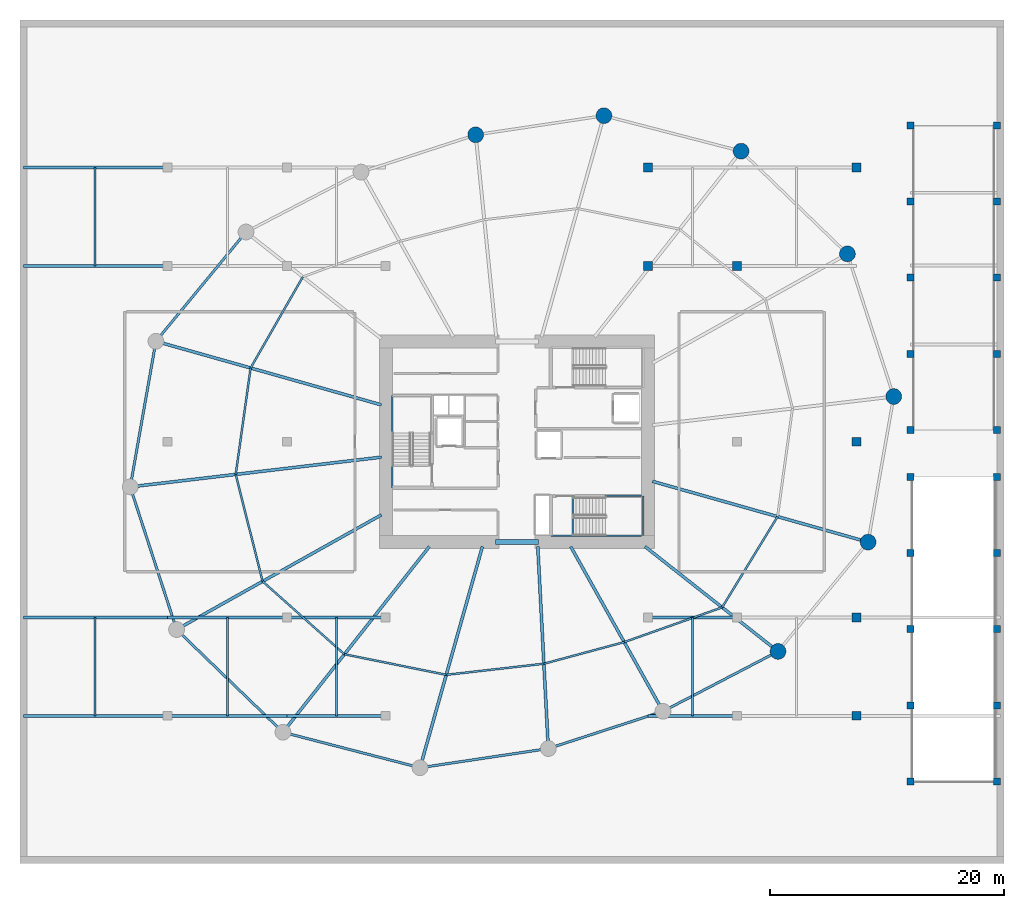
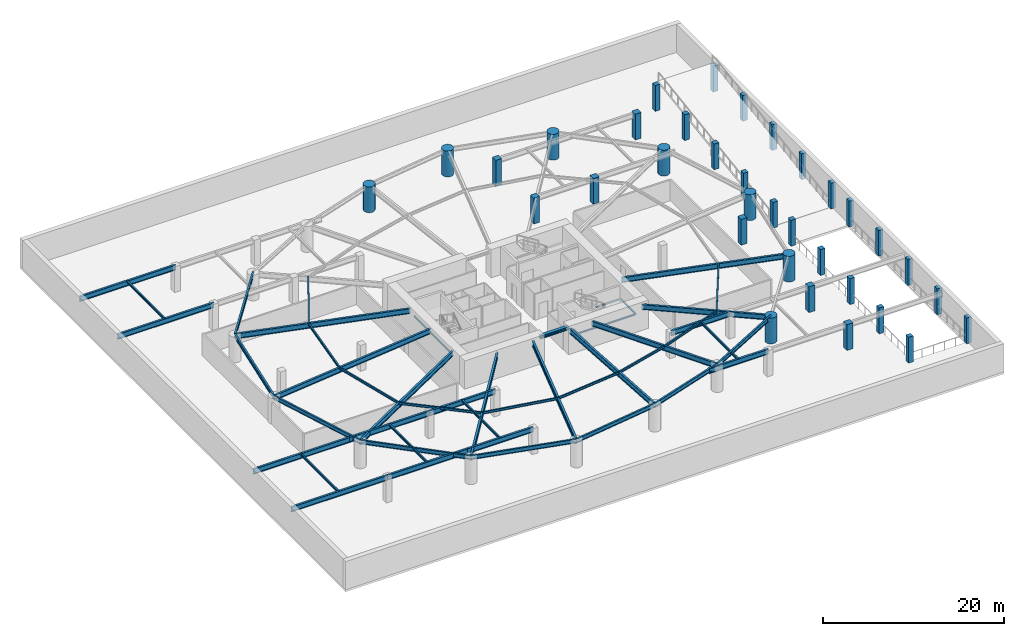
# One storey, part 5 of 13: 47 beams, 34 columns.
"""IFC4 building model written with IfcOpenShell, lengths in metres."""

from ifc_helpers import new_model, si_unit, direction, frame, origin, origin_2d, place, context, subcontext, project, spatial, rectangle, circle, i_section, extrude, material, material_profile, profile_set, type_object, element, save


model = new_model("IFC4")

# Units and contexts
model_context = context("Model", 3, precision=1e-05, world=origin(), true_north=direction((0.0, 1.0)))
body_context = subcontext(model_context, "Body", "Model", "MODEL_VIEW")
ifc_project = project(units=[si_unit("LENGTHUNIT", "METRE"), si_unit("AREAUNIT", "SQUARE_METRE"), si_unit("VOLUMEUNIT", "CUBIC_METRE"), si_unit("PLANEANGLEUNIT", "RADIAN"), si_unit("MASSUNIT", "GRAM", prefix="KILO")], contexts=[model_context])

# Site, building, storey
site_placement = place(None, origin())
site = spatial("IfcSite", under=ifc_project, at=site_placement, CompositionType="ELEMENT")
building_placement = place(site_placement, origin())
building = spatial("IfcBuilding", under=site, at=building_placement, Name="Kazma Halo Residences", CompositionType="ELEMENT")
storey_placement = place(building_placement, frame((0.0, 0.0, -3.800048828125)))
storey = spatial("IfcBuildingStorey", under=building, at=storey_placement, Name="B01", CompositionType="ELEMENT", Elevation=-3.800048828125)

# Columns
ifc_material_1 = material(Name="Concrete C60/75", Category="concrete")
ifc_material_profile_1 = material_profile(ifc_material_1, rectangle(XDim=0.75, YDim=0.75, at=origin_2d()), Name="RECT750x750")
ifc_profile_set_1 = profile_set([ifc_material_profile_1], Name="Concrete C60/75")
column_type_1 = type_object("IfcColumnType", Name="COL-BSMT-750", PredefinedType="COLUMN", material=ifc_profile_set_1)
for number, where, z_axis, x_axis, name in (
    (1, (59.60009765625, 57.0, 0.0), (0.0, 0.0, 1.0), (1.0, 0.0, 0.0), "B01 parking grid column 17"),
    (2, (59.60009765625, 65.39990234375, 0.0), (0.0, 0.0, 1.0), (1.0, 0.0, 0.0), "B01 parking grid column 18"),
    (3, (67.199951171875, 57.0, 0.0), (0.0, 0.0, 1.0), (1.0, 0.0, 0.0), "B01 parking grid column 22"),
    (4, (77.39990234375, 18.60009765625, 0.0), (0.0, 0.0, 1.0), (1.0, 0.0, 0.0), "B01 parking grid column 24"),
    (5, (77.39990234375, 27.0, 0.0), (0.0, 0.0, 1.0), (1.0, 0.0, 0.0), "B01 parking grid column 25"),
    (6, (77.39990234375, 42.0, 0.0), (0.0, 0.0, 1.0), (1.0, 0.0, 0.0), "B01 parking grid column 26"),
    (7, (77.39990234375, 65.39990234375, 0.0), (0.0, 0.0, 1.0), (1.0, 0.0, 0.0), "B01 parking grid column 28"),
):
    element("IfcColumn", number, at=place(storey_placement, frame(where, z_axis=z_axis, x_axis=x_axis)), inside=storey, type_object=column_type_1, Name=name, PredefinedType="COLUMN", context=body_context, shape_type="SweptSolid", body=[
        extrude(rectangle(XDim=0.75, YDim=0.75, at=origin_2d()), origin(), (0.0, 0.0, 1.0), 3.47998046875),
    ])
ifc_material_2 = material(Name="Concrete C80/95", Category="concrete")
ifc_material_profile_2 = material_profile(ifc_material_2, circle(Radius=0.675048828125, at=origin_2d()), Name="CIRC1350")
ifc_profile_set_2 = profile_set([ifc_material_profile_2], Name="Concrete C80/95")
column_type_2 = type_object("IfcColumnType", Name="COL-PERIM-1350", PredefinedType="COLUMN", material=ifc_profile_set_2)
for number, where, z_axis, x_axis, name in (
    (8, (76.6328125, 58.03515625, 0.0), (0.0, 0.0, 1.0), (1.0, 0.0, 0.0), "B01 perimeter ring column P01"),
    (9, (67.55322265625, 66.80322265625, 0.0), (0.0, 0.0, 1.0), (1.0, 0.0, 0.0), "B01 perimeter ring column P02"),
    (10, (55.84912109375, 69.831298828125, 0.0), (0.0, 0.0, 1.0), (1.0, 0.0, 0.0), "B01 perimeter ring column P03"),
    (11, (44.8994140625, 68.196044921875, 0.0), (0.0, 0.0, 1.0), (1.0, 0.0, 0.0), "B01 perimeter ring column P04"),
    (12, (70.708984375, 24.09765625, 0.0), (0.0, 0.0, 1.0), (1.0, 0.0, 0.0), "B01 perimeter ring column P14"),
    (13, (78.397705078125, 33.427001953125, 0.0), (0.0, 0.0, 1.0), (1.0, 0.0, 0.0), "B01 perimeter ring column P15"),
    (14, (80.589599609375, 45.857177734375, 0.0), (0.0, 0.0, 1.0), (1.0, 0.0, 0.0), "B01 perimeter ring column P16"),
):
    element("IfcColumn", number, at=place(storey_placement, frame(where, z_axis=z_axis, x_axis=x_axis)), inside=storey, type_object=column_type_2, Name=name, PredefinedType="COLUMN", context=body_context, shape_type="SweptSolid", body=[
        extrude(circle(Radius=0.675048828125, at=origin_2d()), origin(), (0.0, 0.0, 1.0), 3.47998046875),
    ])
ifc_material_profile_3 = material_profile(ifc_material_1, rectangle(XDim=0.60009765625, YDim=0.60009765625, at=origin_2d()), Name="RECT600x600")
ifc_profile_set_3 = profile_set([ifc_material_profile_3], Name="Concrete C60/75")
column_type_3 = type_object("IfcColumnType", Name="COL-POD-600", PredefinedType="COLUMN", material=ifc_profile_set_3)
for number, where, z_axis, x_axis, name in (
    (15, (82.0, 13.0, 0.0), (0.0, 0.0, 1.0), (1.0, 0.0, 0.0), "B01 vehicle ramp column 01"),
    (16, (82.0, 19.5, 0.0), (0.0, 0.0, 1.0), (1.0, 0.0, 0.0), "B01 vehicle ramp column 02"),
    (17, (82.0, 26.0, 0.0), (0.0, 0.0, 1.0), (1.0, 0.0, 0.0), "B01 vehicle ramp column 03"),
    (18, (82.0, 32.5, 0.0), (0.0, 0.0, 1.0), (1.0, 0.0, 0.0), "B01 vehicle ramp column 04"),
    (19, (82.0, 39.0, 0.0), (0.0, 0.0, 1.0), (1.0, 0.0, 0.0), "B01 vehicle ramp column 05"),
    (20, (82.0, 43.0, 0.0), (0.0, 0.0, 1.0), (1.0, 0.0, 0.0), "B01 vehicle ramp column 06"),
    (21, (82.0, 49.5, 0.0), (0.0, 0.0, 1.0), (1.0, 0.0, 0.0), "B01 vehicle ramp column 07"),
    (22, (82.0, 56.0, 0.0), (0.0, 0.0, 1.0), (1.0, 0.0, 0.0), "B01 vehicle ramp column 08"),
    (23, (82.0, 62.5, 0.0), (0.0, 0.0, 1.0), (1.0, 0.0, 0.0), "B01 vehicle ramp column 09"),
    (24, (82.0, 69.0, 0.0), (0.0, 0.0, 1.0), (1.0, 0.0, 0.0), "B01 vehicle ramp column 10"),
    (25, (89.39990234375, 13.0, 0.0), (0.0, 0.0, 1.0), (1.0, 0.0, 0.0), "B01 vehicle ramp column 11"),
    (26, (89.39990234375, 19.5, 0.0), (0.0, 0.0, 1.0), (1.0, 0.0, 0.0), "B01 vehicle ramp column 12"),
    (27, (89.39990234375, 26.0, 0.0), (0.0, 0.0, 1.0), (1.0, 0.0, 0.0), "B01 vehicle ramp column 13"),
    (28, (89.39990234375, 32.5, 0.0), (0.0, 0.0, 1.0), (1.0, 0.0, 0.0), "B01 vehicle ramp column 14"),
    (29, (89.39990234375, 39.0, 0.0), (0.0, 0.0, 1.0), (1.0, 0.0, 0.0), "B01 vehicle ramp column 15"),
    (30, (89.39990234375, 43.0, 0.0), (0.0, 0.0, 1.0), (1.0, 0.0, 0.0), "B01 vehicle ramp column 16"),
    (31, (89.39990234375, 49.5, 0.0), (0.0, 0.0, 1.0), (1.0, 0.0, 0.0), "B01 vehicle ramp column 17"),
    (32, (89.39990234375, 56.0, 0.0), (0.0, 0.0, 1.0), (1.0, 0.0, 0.0), "B01 vehicle ramp column 18"),
    (33, (89.39990234375, 62.5, 0.0), (0.0, 0.0, 1.0), (1.0, 0.0, 0.0), "B01 vehicle ramp column 19"),
    (34, (89.39990234375, 69.0, 0.0), (0.0, 0.0, 1.0), (1.0, 0.0, 0.0), "B01 vehicle ramp column 20"),
):
    element("IfcColumn", number, at=place(storey_placement, frame(where, z_axis=z_axis, x_axis=x_axis)), inside=storey, type_object=column_type_3, Name=name, PredefinedType="COLUMN", context=body_context, shape_type="SweptSolid", body=[
        extrude(rectangle(XDim=0.60009765625, YDim=0.60009765625, at=origin_2d()), origin(), (0.0, 0.0, 1.0), 3.47998046875),
    ])

# Beams
ifc_material_3 = material(Name="Steel S355", Category="steel")
ifc_material_profile_4 = material_profile(ifc_material_3, i_section(OverallWidth=0.25390625, OverallDepth=0.68408203125, WebThickness=0.012451171875, FlangeThickness=0.01904296875, FilletRadius=0.01806640625, at=origin_2d()), Name="W690x140")
ifc_profile_set_4 = profile_set([ifc_material_profile_4], Name="Steel S355")
beam_type_1 = type_object("IfcBeamType", Name="BM-BSMT-W690", PredefinedType="BEAM", material=ifc_profile_set_4)
beam_1_placement = place(storey_placement, frame((6.300048828125, 18.60009765625, 3.137939453125), z_axis=(1.0, 0.0, 0.0), x_axis=(0.0, 1.0, 0.0)))
element("IfcBeam", 35, at=beam_1_placement, inside=storey, type_object=beam_type_1, Name="B01 primary girder Y=18.6 bay 1", PredefinedType="BEAM", context=body_context, shape_type="SweptSolid", body=[
    extrude(i_section(OverallWidth=0.25390625, OverallDepth=0.68408203125, WebThickness=0.012451171875, FlangeThickness=0.01904296875, FilletRadius=0.01806640625, at=origin_2d()), origin(), (0.0, 0.0, 1.0), 12.300048828125),
])
beam_2_placement = place(storey_placement, frame((18.60009765625, 18.60009765625, 3.137939453125), z_axis=(1.0, 0.0, 0.0), x_axis=(0.0, 1.0, 0.0)))
element("IfcBeam", 36, at=beam_2_placement, inside=storey, type_object=beam_type_1, Name="B01 primary girder Y=18.6 bay 2", PredefinedType="BEAM", context=body_context, shape_type="SweptSolid", body=[
    extrude(i_section(OverallWidth=0.25390625, OverallDepth=0.68408203125, WebThickness=0.012451171875, FlangeThickness=0.01904296875, FilletRadius=0.01806640625, at=origin_2d()), origin(), (0.0, 0.0, 1.0), 10.199951171875),
])
beam_3_placement = place(storey_placement, frame((28.800048828125, 18.60009765625, 3.137939453125), z_axis=(1.0, 0.0, 0.0), x_axis=(0.0, 1.0, 0.0)))
element("IfcBeam", 37, at=beam_3_placement, inside=storey, type_object=beam_type_1, Name="B01 primary girder Y=18.6 bay 3", PredefinedType="BEAM", context=body_context, shape_type="SweptSolid", body=[
    extrude(i_section(OverallWidth=0.25390625, OverallDepth=0.68408203125, WebThickness=0.012451171875, FlangeThickness=0.01904296875, FilletRadius=0.01806640625, at=origin_2d()), origin(), (0.0, 0.0, 1.0), 8.39990234375),
])
beam_4_placement = place(storey_placement, frame((59.60009765625, 18.60009765625, 3.137939453125), z_axis=(1.0, 0.0, 0.0), x_axis=(0.0, 1.0, 0.0)))
element("IfcBeam", 38, at=beam_4_placement, inside=storey, type_object=beam_type_1, Name="B01 primary girder Y=18.6 bay 4", PredefinedType="BEAM", context=body_context, shape_type="SweptSolid", body=[
    extrude(i_section(OverallWidth=0.25390625, OverallDepth=0.68408203125, WebThickness=0.012451171875, FlangeThickness=0.01904296875, FilletRadius=0.01806640625, at=origin_2d()), origin(), (0.0, 0.0, 1.0), 7.599853515625),
])
beam_5_placement = place(storey_placement, frame((6.300048828125, 27.0, 3.137939453125), z_axis=(1.0, 0.0, 0.0), x_axis=(0.0, 1.0, 0.0)))
element("IfcBeam", 39, at=beam_5_placement, inside=storey, type_object=beam_type_1, Name="B01 primary girder Y=27.0 bay 1", PredefinedType="BEAM", context=body_context, shape_type="SweptSolid", body=[
    extrude(i_section(OverallWidth=0.25390625, OverallDepth=0.68408203125, WebThickness=0.012451171875, FlangeThickness=0.01904296875, FilletRadius=0.01806640625, at=origin_2d()), origin(), (0.0, 0.0, 1.0), 12.300048828125),
])
beam_6_placement = place(storey_placement, frame((18.60009765625, 27.0, 3.137939453125), z_axis=(1.0, 0.0, 0.0), x_axis=(0.0, 1.0, 0.0)))
element("IfcBeam", 40, at=beam_6_placement, inside=storey, type_object=beam_type_1, Name="B01 primary girder Y=27.0 bay 2", PredefinedType="BEAM", context=body_context, shape_type="SweptSolid", body=[
    extrude(i_section(OverallWidth=0.25390625, OverallDepth=0.68408203125, WebThickness=0.012451171875, FlangeThickness=0.01904296875, FilletRadius=0.01806640625, at=origin_2d()), origin(), (0.0, 0.0, 1.0), 10.199951171875),
])
beam_7_placement = place(storey_placement, frame((28.800048828125, 27.0, 3.137939453125), z_axis=(1.0, 0.0, 0.0), x_axis=(0.0, 1.0, 0.0)))
element("IfcBeam", 41, at=beam_7_placement, inside=storey, type_object=beam_type_1, Name="B01 primary girder Y=27.0 bay 3", PredefinedType="BEAM", context=body_context, shape_type="SweptSolid", body=[
    extrude(i_section(OverallWidth=0.25390625, OverallDepth=0.68408203125, WebThickness=0.012451171875, FlangeThickness=0.01904296875, FilletRadius=0.01806640625, at=origin_2d()), origin(), (0.0, 0.0, 1.0), 8.39990234375),
])
beam_8_placement = place(storey_placement, frame((59.60009765625, 27.0, 3.137939453125), z_axis=(1.0, 0.0, 0.0), x_axis=(0.0, 1.0, 0.0)))
element("IfcBeam", 42, at=beam_8_placement, inside=storey, type_object=beam_type_1, Name="B01 primary girder Y=27.0 bay 4", PredefinedType="BEAM", context=body_context, shape_type="SweptSolid", body=[
    extrude(i_section(OverallWidth=0.25390625, OverallDepth=0.68408203125, WebThickness=0.012451171875, FlangeThickness=0.01904296875, FilletRadius=0.01806640625, at=origin_2d()), origin(), (0.0, 0.0, 1.0), 7.599853515625),
])
for number, where, z_axis, x_axis, name in (
    (43, (6.300048828125, 57.0, 3.137939453125), (1.0, 0.0, 0.0), (0.0, 1.0, 0.0), "B01 primary girder Y=57.0 bay 1"),
    (44, (6.300048828125, 65.39990234375, 3.137939453125), (1.0, 0.0, 0.0), (0.0, 1.0, 0.0), "B01 primary girder Y=65.4 bay 1"),
):
    element("IfcBeam", number, at=place(storey_placement, frame(where, z_axis=z_axis, x_axis=x_axis)), inside=storey, type_object=beam_type_1, Name=name, PredefinedType="BEAM", context=body_context, shape_type="SweptSolid", body=[
        extrude(i_section(OverallWidth=0.25390625, OverallDepth=0.68408203125, WebThickness=0.012451171875, FlangeThickness=0.01904296875, FilletRadius=0.01806640625, at=origin_2d()), origin(), (0.0, 0.0, 1.0), 12.300048828125),
    ])
beam_9_placement = place(storey_placement, frame((36.85009765625, 45.14453125, 3.137939453125), z_axis=(-0.962454909869, 0.271441607845, 0.0), x_axis=(-0.271441607845, -0.962454909869, 0.0)))
element("IfcBeam", 45, at=beam_9_placement, inside=storey, type_object=beam_type_1, Name="B01 radial floor beam 07", PredefinedType="BEAM", context=body_context, shape_type="SweptSolid", body=[
    extrude(i_section(OverallWidth=0.25390625, OverallDepth=0.68408203125, WebThickness=0.012451171875, FlangeThickness=0.01904296875, FilletRadius=0.01806640625, at=origin_2d()), origin(), (0.0, 0.0, 1.0), 19.99853515625),
])
beam_10_placement = place(storey_placement, frame((36.85009765625, 40.680419921875, 3.137939453125), z_axis=(-0.993068228459, -0.117539327996, 0.0), x_axis=(0.117539327996, -0.993068228459, 0.0)))
element("IfcBeam", 46, at=beam_10_placement, inside=storey, type_object=beam_type_1, Name="B01 radial floor beam 08", PredefinedType="BEAM", context=body_context, shape_type="SweptSolid", body=[
    extrude(i_section(OverallWidth=0.25390625, OverallDepth=0.68408203125, WebThickness=0.012451171875, FlangeThickness=0.01904296875, FilletRadius=0.01806640625, at=origin_2d()), origin(), (0.0, 0.0, 1.0), 21.58935546875),
])
beam_11_placement = place(storey_placement, frame((36.85009765625, 35.755615234375, 3.137939453125), z_axis=(-0.872498744017, -0.488616354299, 0.0), x_axis=(0.488616354299, -0.872498744017, 0.0)))
element("IfcBeam", 47, at=beam_11_placement, inside=storey, type_object=beam_type_1, Name="B01 radial floor beam 09", PredefinedType="BEAM", context=body_context, shape_type="SweptSolid", body=[
    extrude(i_section(OverallWidth=0.25390625, OverallDepth=0.68408203125, WebThickness=0.012451171875, FlangeThickness=0.01904296875, FilletRadius=0.01806640625, at=origin_2d()), origin(), (0.0, 0.0, 1.0), 20.037841796875),
])
beam_12_placement = place(storey_placement, frame((40.9443359375, 33.050048828125, 3.137939453125), z_axis=(-0.619089277374, -0.785320613915, 0.0), x_axis=(0.785320613915, -0.619089277374, 0.0)))
element("IfcBeam", 48, at=beam_12_placement, inside=storey, type_object=beam_type_1, Name="B01 radial floor beam 10", PredefinedType="BEAM", context=body_context, shape_type="SweptSolid", body=[
    extrude(i_section(OverallWidth=0.25390625, OverallDepth=0.68408203125, WebThickness=0.012451171875, FlangeThickness=0.01904296875, FilletRadius=0.01806640625, at=origin_2d()), origin(), (0.0, 0.0, 1.0), 20.18701171875),
])
beam_13_placement = place(storey_placement, frame((45.475830078125, 33.050048828125, 3.137939453125), z_axis=(-0.271433858007, -0.962457095526, 0.0), x_axis=(0.962457095526, -0.271433858007, 0.0)))
element("IfcBeam", 49, at=beam_13_placement, inside=storey, type_object=beam_type_1, Name="B01 radial floor beam 11", PredefinedType="BEAM", context=body_context, shape_type="SweptSolid", body=[
    extrude(i_section(OverallWidth=0.25390625, OverallDepth=0.68408203125, WebThickness=0.012451171875, FlangeThickness=0.01904296875, FilletRadius=0.01806640625, at=origin_2d()), origin(), (0.0, 0.0, 1.0), 19.617919921875),
])
beam_14_placement = place(storey_placement, frame((50.199951171875, 33.050048828125, 3.137939453125), z_axis=(0.052151471652, -0.998639186095, 0.0), x_axis=(0.998639186095, 0.052151471652, 0.0)))
element("IfcBeam", 50, at=beam_14_placement, inside=storey, type_object=beam_type_1, Name="B01 radial floor beam 12", PredefinedType="BEAM", context=body_context, shape_type="SweptSolid", body=[
    extrude(i_section(OverallWidth=0.25390625, OverallDepth=0.68408203125, WebThickness=0.012451171875, FlangeThickness=0.01904296875, FilletRadius=0.01806640625, at=origin_2d()), origin(), (0.0, 0.0, 1.0), 17.26953125),
])
beam_15_placement = place(storey_placement, frame((53.01220703125, 33.050048828125, 3.137939453125), z_axis=(0.488623198121, -0.872494911308, 0.0), x_axis=(0.872494911308, 0.488623198121, 0.0)))
element("IfcBeam", 51, at=beam_15_placement, inside=storey, type_object=beam_type_1, Name="B01 radial floor beam 13", PredefinedType="BEAM", context=body_context, shape_type="SweptSolid", body=[
    extrude(i_section(OverallWidth=0.25390625, OverallDepth=0.68408203125, WebThickness=0.012451171875, FlangeThickness=0.01904296875, FilletRadius=0.01806640625, at=origin_2d()), origin(), (0.0, 0.0, 1.0), 16.12109375),
])
beam_16_placement = place(storey_placement, frame((59.35302734375, 33.050048828125, 3.137939453125), z_axis=(0.785314311706, -0.619097271702, 0.0), x_axis=(0.619097271702, 0.785314311706, 0.0)))
element("IfcBeam", 52, at=beam_16_placement, inside=storey, type_object=beam_type_1, Name="B01 radial floor beam 14", PredefinedType="BEAM", context=body_context, shape_type="SweptSolid", body=[
    extrude(i_section(OverallWidth=0.25390625, OverallDepth=0.68408203125, WebThickness=0.012451171875, FlangeThickness=0.01904296875, FilletRadius=0.01806640625, at=origin_2d()), origin(), (0.0, 0.0, 1.0), 14.46044921875),
])
beam_17_placement = place(storey_placement, frame((60.0, 38.615478515625, 3.137939453125), z_axis=(0.962458146095, -0.271430132845, 0.0), x_axis=(0.271430132845, 0.962458146095, 0.0)))
element("IfcBeam", 53, at=beam_17_placement, inside=storey, type_object=beam_type_1, Name="B01 radial floor beam 15", PredefinedType="BEAM", context=body_context, shape_type="SweptSolid", body=[
    extrude(i_section(OverallWidth=0.25390625, OverallDepth=0.68408203125, WebThickness=0.012451171875, FlangeThickness=0.01904296875, FilletRadius=0.01806640625, at=origin_2d()), origin(), (0.0, 0.0, 1.0), 19.115234375),
])
ifc_material_profile_5 = material_profile(ifc_material_3, i_section(OverallWidth=0.408935546875, OverallDepth=0.425048828125, WebThickness=0.03271484375, FlangeThickness=0.052490234375, FilletRadius=0.02001953125, at=origin_2d()), Name="W360x421")
ifc_profile_set_5 = profile_set([ifc_material_profile_5], Name="Steel S355")
beam_type_2 = type_object("IfcBeamType", Name="BM-CORE-W360H", PredefinedType="BEAM", material=ifc_profile_set_5)
beam_18_placement = place(storey_placement, frame((46.60009765625, 33.449951171875, 3.267578125), z_axis=(1.0, 0.0, 0.0), x_axis=(0.0, 1.0, 0.0)))
element("IfcBeam", 54, at=beam_18_placement, inside=storey, type_object=beam_type_2, Name="B01 core coupling beam S", PredefinedType="BEAM", context=body_context, shape_type="SweptSolid", body=[
    extrude(i_section(OverallWidth=0.408935546875, OverallDepth=0.425048828125, WebThickness=0.03271484375, FlangeThickness=0.052490234375, FilletRadius=0.02001953125, at=origin_2d()), origin(), (0.0, 0.0, 1.0), 3.64990234375),
])
ifc_material_profile_6 = material_profile(ifc_material_3, i_section(OverallWidth=0.1650390625, OverallDepth=0.31005859375, WebThickness=0.005859375, FlangeThickness=0.009765625, FilletRadius=0.011962890625, at=origin_2d()), Name="W310x38.7")
ifc_profile_set_6 = profile_set([ifc_material_profile_6], Name="Steel S355")
beam_type_3 = type_object("IfcBeamType", Name="BM-SEC-W310B", PredefinedType="JOIST", material=ifc_profile_set_6)
for number, where, z_axis, x_axis, name in (
    (55, (12.39990234375, 18.60009765625, 3.324951171875), (0.0, 1.0, 0.0), (-1.0, 0.0, 0.0), "B01 south secondary joist 1"),
    (56, (12.39990234375, 57.0, 3.324951171875), (0.0, 1.0, 0.0), (-1.0, 0.0, 0.0), "B01 north secondary joist 1"),
    (57, (23.699951171875, 18.60009765625, 3.324951171875), (0.0, 1.0, 0.0), (-1.0, 0.0, 0.0), "B01 south secondary joist 2"),
    (58, (33.0, 18.60009765625, 3.324951171875), (0.0, 1.0, 0.0), (-1.0, 0.0, 0.0), "B01 south secondary joist 3"),
    (59, (63.39990234375, 18.60009765625, 3.324951171875), (0.0, 1.0, 0.0), (-1.0, 0.0, 0.0), "B01 south secondary joist 4"),
):
    element("IfcBeam", number, at=place(storey_placement, frame(where, z_axis=z_axis, x_axis=x_axis)), inside=storey, type_object=beam_type_3, Name=name, PredefinedType="JOIST", context=body_context, shape_type="SweptSolid", body=[
        extrude(i_section(OverallWidth=0.1650390625, OverallDepth=0.31005859375, WebThickness=0.005859375, FlangeThickness=0.009765625, FilletRadius=0.011962890625, at=origin_2d()), origin(), (0.0, 0.0, 1.0), 8.39990234375),
    ])
beam_19_placement = place(storey_placement, frame((30.145751953125, 56.0751953125, 3.324951171875), z_axis=(-0.497199727341, -0.867636116775, 0.0), x_axis=(0.867636116775, -0.497199727341, 0.0)))
element("IfcBeam", 60, at=beam_19_placement, inside=storey, type_object=beam_type_3, Name="B01 circumferential floor joist 06", PredefinedType="JOIST", context=body_context, shape_type="SweptSolid", body=[
    extrude(i_section(OverallWidth=0.1650390625, OverallDepth=0.31005859375, WebThickness=0.005859375, FlangeThickness=0.009765625, FilletRadius=0.011962890625, at=origin_2d()), origin(), (0.0, 0.0, 1.0), 8.96923828125),
])
beam_20_placement = place(storey_placement, frame((25.686279296875, 48.293212890625, 3.324951171875), z_axis=(-0.138581542975, -0.99035102663, 0.0), x_axis=(0.99035102663, -0.138581542975, 0.0)))
element("IfcBeam", 61, at=beam_20_placement, inside=storey, type_object=beam_type_3, Name="B01 circumferential floor joist 07", PredefinedType="JOIST", context=body_context, shape_type="SweptSolid", body=[
    extrude(i_section(OverallWidth=0.1650390625, OverallDepth=0.31005859375, WebThickness=0.005859375, FlangeThickness=0.009765625, FilletRadius=0.011962890625, at=origin_2d()), origin(), (0.0, 0.0, 1.0), 9.17333984375),
])
beam_21_placement = place(storey_placement, frame((24.4150390625, 39.20849609375, 3.324951171875), z_axis=(0.243737347729, -0.969841278417, 0.0), x_axis=(0.969841278417, 0.243737347729, 0.0)))
element("IfcBeam", 62, at=beam_21_placement, inside=storey, type_object=beam_type_3, Name="B01 circumferential floor joist 08", PredefinedType="JOIST", context=body_context, shape_type="SweptSolid", body=[
    extrude(i_section(OverallWidth=0.1650390625, OverallDepth=0.31005859375, WebThickness=0.005859375, FlangeThickness=0.009765625, FilletRadius=0.011962890625, at=origin_2d()), origin(), (0.0, 0.0, 1.0), 9.41552734375),
])
beam_22_placement = place(storey_placement, frame((26.7099609375, 30.076904296875, 3.324951171875), z_axis=(0.74675669848, -0.665097311133, 0.0), x_axis=(0.665097311133, 0.74675669848, 0.0)))
element("IfcBeam", 63, at=beam_22_placement, inside=storey, type_object=beam_type_3, Name="B01 circumferential floor joist 09", PredefinedType="JOIST", context=body_context, shape_type="SweptSolid", body=[
    extrude(i_section(OverallWidth=0.1650390625, OverallDepth=0.31005859375, WebThickness=0.005859375, FlangeThickness=0.009765625, FilletRadius=0.011962890625, at=origin_2d()), origin(), (0.0, 0.0, 1.0), 9.35498046875),
])
beam_23_placement = place(storey_placement, frame((33.69580078125, 23.85498046875, 3.324951171875), z_axis=(0.980192243317, -0.198048393432, 0.0), x_axis=(0.198048393432, 0.980192243317, 0.0)))
element("IfcBeam", 64, at=beam_23_placement, inside=storey, type_object=beam_type_3, Name="B01 circumferential floor joist 10", PredefinedType="JOIST", context=body_context, shape_type="SweptSolid", body=[
    extrude(i_section(OverallWidth=0.1650390625, OverallDepth=0.31005859375, WebThickness=0.005859375, FlangeThickness=0.009765625, FilletRadius=0.011962890625, at=origin_2d()), origin(), (0.0, 0.0, 1.0), 8.866943359375),
])
beam_24_placement = place(storey_placement, frame((42.38720703125, 22.098876953125, 3.324951171875), z_axis=(0.993587805197, 0.113063138842, 0.0), x_axis=(-0.113063138842, 0.993587805197, 0.0)))
element("IfcBeam", 65, at=beam_24_placement, inside=storey, type_object=beam_type_3, Name="B01 circumferential floor joist 11", PredefinedType="JOIST", context=body_context, shape_type="SweptSolid", body=[
    extrude(i_section(OverallWidth=0.1650390625, OverallDepth=0.31005859375, WebThickness=0.005859375, FlangeThickness=0.009765625, FilletRadius=0.011962890625, at=origin_2d()), origin(), (0.0, 0.0, 1.0), 8.388916015625),
])
beam_25_placement = place(storey_placement, frame((50.722412109375, 23.04736328125, 3.324951171875), z_axis=(0.965678128269, 0.259741703588, 0.0), x_axis=(-0.259741703588, 0.965678128269, 0.0)))
element("IfcBeam", 66, at=beam_25_placement, inside=storey, type_object=beam_type_3, Name="B01 circumferential floor joist 12", PredefinedType="JOIST", context=body_context, shape_type="SweptSolid", body=[
    extrude(i_section(OverallWidth=0.1650390625, OverallDepth=0.31005859375, WebThickness=0.005859375, FlangeThickness=0.009765625, FilletRadius=0.011962890625, at=origin_2d()), origin(), (0.0, 0.0, 1.0), 7.10205078125),
])
beam_26_placement = place(storey_placement, frame((57.580810546875, 24.89208984375, 3.324951171875), z_axis=(0.942441737122, 0.334370411567, 0.0), x_axis=(-0.334370411567, 0.942441737122, 0.0)))
element("IfcBeam", 67, at=beam_26_placement, inside=storey, type_object=beam_type_3, Name="B01 circumferential floor joist 13", PredefinedType="JOIST", context=body_context, shape_type="SweptSolid", body=[
    extrude(i_section(OverallWidth=0.1650390625, OverallDepth=0.31005859375, WebThickness=0.005859375, FlangeThickness=0.009765625, FilletRadius=0.011962890625, at=origin_2d()), origin(), (0.0, 0.0, 1.0), 8.869140625),
])
beam_27_placement = place(storey_placement, frame((65.939453125, 27.857666015625, 3.324951171875), z_axis=(0.521128000965, 0.853478533187, 0.0), x_axis=(-0.853478533187, 0.521128000965, 0.0)))
element("IfcBeam", 68, at=beam_27_placement, inside=storey, type_object=beam_type_3, Name="B01 circumferential floor joist 14", PredefinedType="JOIST", context=body_context, shape_type="SweptSolid", body=[
    extrude(i_section(OverallWidth=0.1650390625, OverallDepth=0.31005859375, WebThickness=0.005859375, FlangeThickness=0.009765625, FilletRadius=0.011962890625, at=origin_2d()), origin(), (0.0, 0.0, 1.0), 9.078857421875),
])
ifc_material_profile_7 = material_profile(ifc_material_3, i_section(OverallWidth=0.208984375, OverallDepth=0.532958984375, WebThickness=0.01025390625, FlangeThickness=0.015625, FilletRadius=0.01611328125, at=origin_2d()), Name="W530x92")
ifc_profile_set_7 = profile_set([ifc_material_profile_7], Name="Steel S355")
beam_type_4 = type_object("IfcBeamType", Name="BM-SPN-W530", PredefinedType="BEAM", material=ifc_profile_set_7)
beam_28_placement = place(storey_placement, frame((25.291015625, 59.90234375, 3.213623046875), z_axis=(-0.635989643733, -0.771697591718, 0.0), x_axis=(0.771697591718, -0.635989643733, 0.0)))
element("IfcBeam", 69, at=beam_28_placement, inside=storey, type_object=beam_type_4, Name="B01 perimeter ring beam 06", PredefinedType="BEAM", context=body_context, shape_type="SweptSolid", body=[
    extrude(i_section(OverallWidth=0.208984375, OverallDepth=0.532958984375, WebThickness=0.01025390625, FlangeThickness=0.015625, FilletRadius=0.01611328125, at=origin_2d()), origin(), (0.0, 0.0, 1.0), 12.08935546875),
])
beam_29_placement = place(storey_placement, frame((17.602294921875, 50.572998046875, 3.213623046875), z_axis=(-0.173657334149, -0.984806138434, 0.0), x_axis=(0.984806138434, -0.173657334149, 0.0)))
element("IfcBeam", 70, at=beam_29_placement, inside=storey, type_object=beam_type_4, Name="B01 perimeter ring beam 07", PredefinedType="BEAM", context=body_context, shape_type="SweptSolid", body=[
    extrude(i_section(OverallWidth=0.208984375, OverallDepth=0.532958984375, WebThickness=0.01025390625, FlangeThickness=0.015625, FilletRadius=0.01611328125, at=origin_2d()), origin(), (0.0, 0.0, 1.0), 12.6220703125),
])
beam_30_placement = place(storey_placement, frame((15.410400390625, 38.142822265625, 3.213623046875), z_axis=(0.3090114866, -0.951058305862, 0.0), x_axis=(0.951058305862, 0.3090114866, 0.0)))
element("IfcBeam", 71, at=beam_30_placement, inside=storey, type_object=beam_type_4, Name="B01 perimeter ring beam 08", PredefinedType="BEAM", context=body_context, shape_type="SweptSolid", body=[
    extrude(i_section(OverallWidth=0.208984375, OverallDepth=0.532958984375, WebThickness=0.01025390625, FlangeThickness=0.015625, FilletRadius=0.01611328125, at=origin_2d()), origin(), (0.0, 0.0, 1.0), 12.8046875),
])
beam_31_placement = place(storey_placement, frame((19.3671875, 25.96484375, 3.213623046875), z_axis=(0.719339467226, -0.694658715407, 0.0), x_axis=(0.694658715407, 0.719339467226, 0.0)))
element("IfcBeam", 72, at=beam_31_placement, inside=storey, type_object=beam_type_4, Name="B01 perimeter ring beam 09", PredefinedType="BEAM", context=body_context, shape_type="SweptSolid", body=[
    extrude(i_section(OverallWidth=0.208984375, OverallDepth=0.532958984375, WebThickness=0.01025390625, FlangeThickness=0.015625, FilletRadius=0.01611328125, at=origin_2d()), origin(), (0.0, 0.0, 1.0), 12.6220703125),
])
beam_32_placement = place(storey_placement, frame((28.44677734375, 17.19677734375, 3.213623046875), z_axis=(0.968123781445, -0.250472241578, 0.0), x_axis=(0.250472241578, 0.968123781445, 0.0)))
element("IfcBeam", 73, at=beam_32_placement, inside=storey, type_object=beam_type_4, Name="B01 perimeter ring beam 10", PredefinedType="BEAM", context=body_context, shape_type="SweptSolid", body=[
    extrude(i_section(OverallWidth=0.208984375, OverallDepth=0.532958984375, WebThickness=0.01025390625, FlangeThickness=0.015625, FilletRadius=0.01611328125, at=origin_2d()), origin(), (0.0, 0.0, 1.0), 12.08935546875),
])
beam_33_placement = place(storey_placement, frame((40.15087890625, 14.168701171875, 3.213623046875), z_axis=(0.989031581018, 0.14770420356, 0.0), x_axis=(-0.14770420356, 0.989031581018, 0.0)))
element("IfcBeam", 74, at=beam_33_placement, inside=storey, type_object=beam_type_4, Name="B01 perimeter ring beam 11", PredefinedType="BEAM", context=body_context, shape_type="SweptSolid", body=[
    extrude(i_section(OverallWidth=0.208984375, OverallDepth=0.532958984375, WebThickness=0.01025390625, FlangeThickness=0.015625, FilletRadius=0.01611328125, at=origin_2d()), origin(), (0.0, 0.0, 1.0), 11.071044921875),
])
beam_34_placement = place(storey_placement, frame((51.1005859375, 15.803955078125, 3.213623046875), z_axis=(0.951061083857, 0.309002936511, 0.0), x_axis=(-0.309002936511, 0.951061083857, 0.0)))
element("IfcBeam", 75, at=beam_34_placement, inside=storey, type_object=beam_type_4, Name="B01 perimeter ring beam 12", PredefinedType="BEAM", context=body_context, shape_type="SweptSolid", body=[
    extrude(i_section(OverallWidth=0.208984375, OverallDepth=0.532958984375, WebThickness=0.01025390625, FlangeThickness=0.015625, FilletRadius=0.01611328125, at=origin_2d()), origin(), (0.0, 0.0, 1.0), 10.29248046875),
])
beam_35_placement = place(storey_placement, frame((60.889404296875, 18.984375, 3.213623046875), z_axis=(0.886954171981, 0.461857442082, 0.0), x_axis=(-0.461857442082, 0.886954171981, 0.0)))
element("IfcBeam", 76, at=beam_35_placement, inside=storey, type_object=beam_type_4, Name="B01 perimeter ring beam 13", PredefinedType="BEAM", context=body_context, shape_type="SweptSolid", body=[
    extrude(i_section(OverallWidth=0.208984375, OverallDepth=0.532958984375, WebThickness=0.01025390625, FlangeThickness=0.015625, FilletRadius=0.01611328125, at=origin_2d()), origin(), (0.0, 0.0, 1.0), 11.071044921875),
])
ifc_material_profile_8 = material_profile(ifc_material_3, i_section(OverallWidth=0.133056640625, OverallDepth=0.20703125, WebThickness=0.005859375, FlangeThickness=0.00830078125, FilletRadius=0.010009765625, at=origin_2d()), Name="W200x26.6")
ifc_profile_set_8 = profile_set([ifc_material_profile_8], Name="Steel S355")
beam_type_5 = type_object("IfcBeamType", Name="BM-TRIM-W200", PredefinedType="BEAM", material=ifc_profile_set_8)
beam_36_placement = place(storey_placement, frame((53.199951171875, 34.0, -0.389892578125), z_axis=(0.0, 1.0, 0.0), x_axis=(-1.0, 0.0, 0.0)))
element("IfcBeam", 77, at=beam_36_placement, inside=storey, type_object=beam_type_5, Name="B01 ST-03 floor landing support beam", PredefinedType="BEAM", context=body_context, shape_type="SweptSolid", body=[
    extrude(i_section(OverallWidth=0.133056640625, OverallDepth=0.20703125, WebThickness=0.005859375, FlangeThickness=0.00830078125, FilletRadius=0.010009765625, at=origin_2d()), origin(), (0.0, 0.0, 1.0), 3.3798828125),
])
beam_37_placement = place(storey_placement, frame((37.780029296875, 38.06005859375, 1.594970703125), z_axis=(0.0, 1.0, 0.0), x_axis=(-1.0, 0.0, 0.0)))
element("IfcBeam", 78, at=beam_37_placement, inside=storey, type_object=beam_type_5, Name="B01 ST-01 landing west wall ledger", PredefinedType="BEAM", context=body_context, shape_type="SweptSolid", body=[
    extrude(i_section(OverallWidth=0.133056640625, OverallDepth=0.20703125, WebThickness=0.005859375, FlangeThickness=0.00830078125, FilletRadius=0.010009765625, at=origin_2d()), origin(), (0.0, 0.0, 1.0), 7.8798828125),
])
beam_38_placement = place(storey_placement, frame((51.31005859375, 33.97998046875, 1.594970703125), z_axis=(1.0, 0.0, 0.0), x_axis=(0.0, 1.0, 0.0)))
element("IfcBeam", 79, at=beam_38_placement, inside=storey, type_object=beam_type_5, Name="B01 ST-03 landing south wall ledger", PredefinedType="BEAM", context=body_context, shape_type="SweptSolid", body=[
    extrude(i_section(OverallWidth=0.133056640625, OverallDepth=0.20703125, WebThickness=0.005859375, FlangeThickness=0.00830078125, FilletRadius=0.010009765625, at=origin_2d()), origin(), (0.0, 0.0, 1.0), 7.760009765625),
])
beam_39_placement = place(storey_placement, frame((56.0, 37.3798828125, 1.594970703125), z_axis=(1.0, 0.0, 0.0), x_axis=(0.0, 1.0, 0.0)))
element("IfcBeam", 80, at=beam_39_placement, inside=storey, type_object=beam_type_5, Name="B01 ST-03 landing north wall ledger", PredefinedType="BEAM", context=body_context, shape_type="SweptSolid", body=[
    extrude(i_section(OverallWidth=0.133056640625, OverallDepth=0.20703125, WebThickness=0.005859375, FlangeThickness=0.00830078125, FilletRadius=0.010009765625, at=origin_2d()), origin(), (0.0, 0.0, 1.0), 3.070068359375),
])
beam_40_placement = place(storey_placement, frame((59.18994140625, 33.97998046875, 1.594970703125), z_axis=(0.0, 1.0, 0.0), x_axis=(-1.0, 0.0, 0.0)))
element("IfcBeam", 81, at=beam_40_placement, inside=storey, type_object=beam_type_5, Name="B01 ST-03 landing end wall ledger", PredefinedType="BEAM", context=body_context, shape_type="SweptSolid", body=[
    extrude(i_section(OverallWidth=0.133056640625, OverallDepth=0.20703125, WebThickness=0.005859375, FlangeThickness=0.00830078125, FilletRadius=0.010009765625, at=origin_2d()), origin(), (0.0, 0.0, 1.0), 3.39990234375),
])

save(model, "model.ifc")
